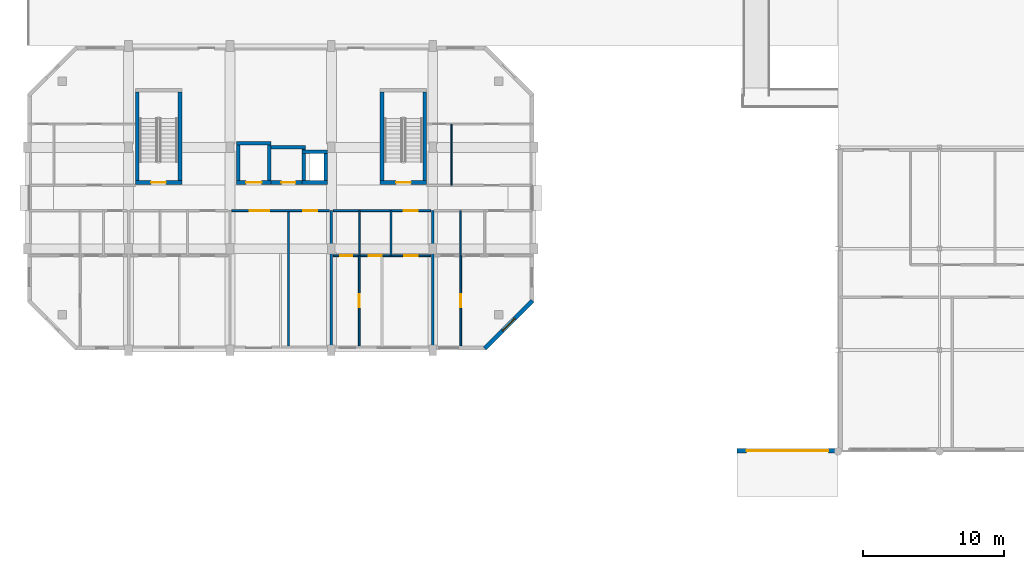
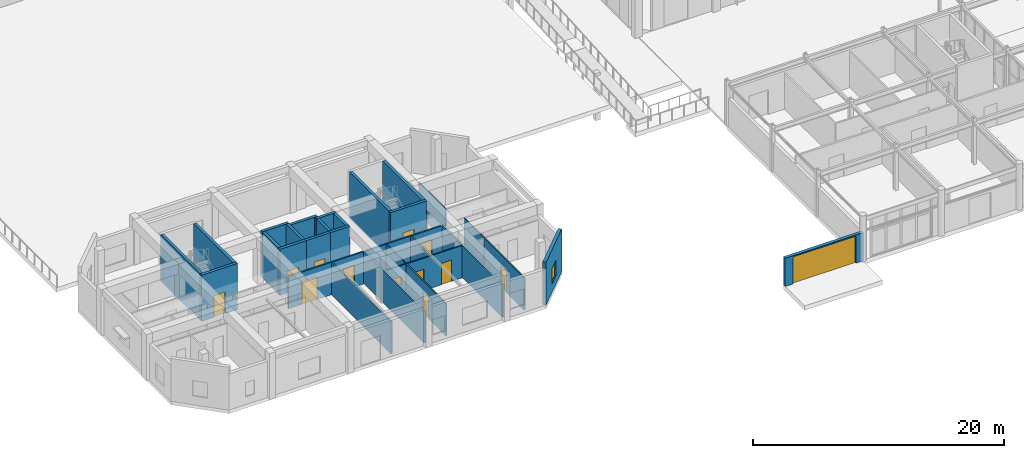
# One storey, part 55 of 85: 30 walls, 13 doors, 1 window, 14 openings.
"""IFC4 building model written with IfcOpenShell, lengths in metres."""

from ifc_helpers import new_model, si_unit, direction, frame, frame_2d, origin, place, context, subcontext, project, spatial, rectangle, extrude, material, layer, layer_set, type_object, element, fill, save


model = new_model("IFC4")

# Units and contexts
model_context = context("Model", 3, precision=1e-05, world=origin(), true_north=direction((0.0, 1.0)))
body_context = subcontext(model_context, "Body", "Model", "MODEL_VIEW")
ifc_project = project(units=[si_unit("LENGTHUNIT", "METRE"), si_unit("AREAUNIT", "SQUARE_METRE"), si_unit("VOLUMEUNIT", "CUBIC_METRE"), si_unit("PLANEANGLEUNIT", "RADIAN"), si_unit("MASSUNIT", "GRAM", prefix="KILO")], contexts=[model_context])

# Site, building, storey
site_placement = place(None, origin())
site = spatial("IfcSite", under=ifc_project, at=site_placement, CompositionType="ELEMENT")
building_placement = place(site_placement, origin())
building = spatial("IfcBuilding", under=site, at=building_placement, Name="Ochrevale Crest", CompositionType="ELEMENT")
storey_placement = place(building_placement, origin())
storey = spatial("IfcBuildingStorey", under=building, at=storey_placement, Name="L00", CompositionType="ELEMENT", Elevation=0.0)

# Wall, openings, doors
ifc_material_1 = material(Name="Gypsum plasterboard", Category="gypsum")
ifc_layer_1 = layer(ifc_material_1, 0.139892578125)
ifc_layer_set_1 = layer_set([ifc_layer_1], Name="Gypsum plasterboard")
wall_type_1 = type_object("IfcWallType", Name="WL-COR-140", PredefinedType="PARTITIONING", material=ifc_layer_set_1)
wall_1_placement = place(storey_placement, frame((14.5400390625, 24.300048828125, 0.0), z_axis=(0.0, 0.0, 1.0), x_axis=(1.0, 0.0, 0.0)))
wall_1 = element("IfcWall", 1, at=wall_1_placement, inside=storey, type_object=wall_type_1, Name="Block A ground lobby corridor wall", PredefinedType="PARTITIONING", context=body_context, shape_type="SweptSolid", body=[
    extrude(rectangle(XDim=6.919921875, YDim=0.139892578125, at=frame_2d((3.4599609375, 0.0))), origin(), (0.0, 0.0, 1.0), 3.14990234375),
])
opening_1_placement = place(wall_1_placement, frame((2.64990234375, 0.0, 0.0), z_axis=(0.0, 0.0, 1.0), x_axis=(-1.0, 0.0, 0.0)))
opening_1 = element("IfcOpeningElement", 2, at=opening_1_placement, cuts=wall_1, Name="Opening ID10", PredefinedType="OPENING", context=body_context, shape_type="SweptSolid", body=[
    extrude(rectangle(XDim=1.39990234375, YDim=2.219970703125, at=frame_2d((0.699951171875, 1.10986328125))), frame((0.0, 0.080078125, 0.0), z_axis=(0.0, -1.0, 0.0), x_axis=(1.0, 0.0, 0.0)), (0.0, 0.0, 1.0), 0.159912109375),
])
opening_2_placement = place(wall_1_placement, frame((5.070068359375, 0.0, 0.0)))
opening_2 = element("IfcOpeningElement", 3, at=opening_2_placement, cuts=wall_1, Name="Opening ID07", PredefinedType="OPENING", context=body_context, shape_type="SweptSolid", body=[
    extrude(rectangle(XDim=1.0, YDim=2.1201171875, at=frame_2d((0.5, 1.06005859375))), frame((0.0, 0.080078125, 0.0), z_axis=(0.0, -1.0, 0.0), x_axis=(1.0, 0.0, 0.0)), (0.0, 0.0, 1.0), 0.159912109375),
])
ifc_material_2 = material(Name="Solid-core FSC hardwood", Category="wood")
door_type_1 = type_object("IfcDoorType", Name="DR-INT-1000", OperationType="NOTDEFINED", PredefinedType="DOOR", material=ifc_material_2)
door_1_placement = place(opening_2_placement, origin())
door_1 = element("IfcDoor", 4, at=door_1_placement, inside=storey, type_object=door_type_1, Name="Block A mail room door", OperationType="SINGLE_SWING_LEFT", OverallHeight=2.1201171875, OverallWidth=1.0, PredefinedType="DOOR", context=body_context, shape_type="SweptSolid", body=[
    extrude(rectangle(XDim=1.0, YDim=2.1201171875, at=frame_2d((0.5, 1.06005859375))), frame((0.0, 0.02490234375, 0.0), z_axis=(0.0, -1.0, 0.0), x_axis=(1.0, 0.0, 0.0)), (0.0, 0.0, 1.0), 0.050048828125),
])
fill(opening_2, door_1)
door_type_2 = type_object("IfcDoorType", Name="DR-INT-1400", OperationType="NOTDEFINED", PredefinedType="DOOR", material=ifc_material_2)
door_2_placement = place(opening_1_placement, origin())
door_2 = element("IfcDoor", 5, at=door_2_placement, inside=storey, type_object=door_type_2, Name="Block A entrance lobby inner door", OperationType="DOUBLE_DOOR_SINGLE_SWING", OverallHeight=2.219970703125, OverallWidth=1.39990234375, PredefinedType="DOOR", context=body_context, shape_type="SweptSolid", body=[
    extrude(rectangle(XDim=1.39990234375, YDim=2.219970703125, at=frame_2d((0.699951171875, 1.10986328125))), frame((0.0, 0.02490234375, 0.0), z_axis=(0.0, -1.0, 0.0), x_axis=(1.0, 0.0, 0.0)), (0.0, 0.0, 1.0), 0.050048828125),
])
fill(opening_1, door_2)

# Wall, opening, door
wall_2_placement = place(storey_placement, frame((21.739990234375, 24.300048828125, 0.0), z_axis=(0.0, 0.0, 1.0), x_axis=(1.0, 0.0, 0.0)))
wall_2 = element("IfcWall", 6, at=wall_2_placement, inside=storey, type_object=wall_type_1, Name="Apartment A-L00-U4 corridor wall", PredefinedType="PARTITIONING", context=body_context, shape_type="SweptSolid", body=[
    extrude(rectangle(XDim=6.919921875, YDim=0.139892578125, at=frame_2d((3.4599609375, 0.0))), origin(), (0.0, 0.0, 1.0), 3.14990234375),
])
opening_3_placement = place(wall_2_placement, frame((6.0, 0.0, 0.0), z_axis=(0.0, 0.0, 1.0), x_axis=(-1.0, 0.0, 0.0)))
opening_3 = element("IfcOpeningElement", 7, at=opening_3_placement, cuts=wall_2, Name="Opening FD01", PredefinedType="OPENING", context=body_context, shape_type="SweptSolid", body=[
    extrude(rectangle(XDim=0.97998046875, YDim=2.10009765625, at=frame_2d((0.489990234375, 1.050048828125))), frame((0.0, 0.080078125, 0.0), z_axis=(0.0, -1.0, 0.0), x_axis=(1.0, 0.0, 0.0)), (0.0, 0.0, 1.0), 0.159912109375),
])
door_type_3 = type_object("IfcDoorType", Name="DR-APT-950", OperationType="NOTDEFINED", PredefinedType="DOOR", material=ifc_material_2)
door_3_placement = place(opening_3_placement, origin())
door_3 = element("IfcDoor", 8, at=door_3_placement, inside=storey, type_object=door_type_3, Name="Apartment A-L00-U4 entrance door", OperationType="SINGLE_SWING_RIGHT", OverallHeight=2.10009765625, OverallWidth=0.97998046875, PredefinedType="DOOR", context=body_context, shape_type="SweptSolid", body=[
    extrude(rectangle(XDim=0.97998046875, YDim=2.10009765625, at=frame_2d((0.489990234375, 1.050048828125))), frame((0.0, 0.02490234375, 0.0), z_axis=(0.0, -1.0, 0.0), x_axis=(1.0, 0.0, 0.0)), (0.0, 0.0, 1.0), 0.050048828125),
])
fill(opening_3, door_3)

ifc_material_3 = material(Name="Precast concrete C50/60", Category="concrete")
ifc_layer_2 = layer(ifc_material_3, 0.2548828125)
ifc_layer_set_2 = layer_set([ifc_layer_2], Name="Precast concrete C50/60")
wall_type_2 = type_object("IfcWallType", Name="WL-CORE-255", PredefinedType="SHEAR", material=ifc_layer_set_2)
wall_3_placement = place(storey_placement, frame((7.672607421875, 26.300048828125, 0.0), z_axis=(0.0, 0.0, 1.0), x_axis=(1.0, 0.0, 0.0)))
wall_3 = element("IfcWall", 9, at=wall_3_placement, inside=storey, type_object=wall_type_2, Name="Block A L00 Stair 1 precast core shear wall S", PredefinedType="SHEAR", context=body_context, shape_type="SweptSolid", body=[
    extrude(rectangle(XDim=3.304931640625, YDim=0.2548828125, at=frame_2d((1.65234375, 0.0))), origin(), (0.0, 0.0, 1.0), 4.5),
])
opening_4_placement = place(wall_3_placement, frame((2.177490234375, 0.0, 0.0), z_axis=(0.0, 0.0, 1.0), x_axis=(-1.0, 0.0, 0.0)))
opening_4 = element("IfcOpeningElement", 10, at=opening_4_placement, cuts=wall_3, Name="Opening FD03", PredefinedType="OPENING", context=body_context, shape_type="SweptSolid", body=[
    extrude(rectangle(XDim=1.050048828125, YDim=2.1201171875, at=frame_2d((0.52490234375, 1.06005859375))), frame((0.0, 0.137451171875, 0.0), z_axis=(0.0, -1.0, 0.0), x_axis=(1.0, 0.0, 0.0)), (0.0, 0.0, 1.0), 0.27490234375),
])
door_type_4 = type_object("IfcDoorType", Name="DR-ST-1050", OperationType="NOTDEFINED", PredefinedType="DOOR", material=ifc_material_2)
door_4_placement = place(opening_4_placement, origin())
door_4 = element("IfcDoor", 11, at=door_4_placement, inside=storey, type_object=door_type_4, Name="Block A L00 fire stair 1 door", OperationType="SINGLE_SWING_RIGHT", OverallHeight=2.1201171875, OverallWidth=1.050048828125, PredefinedType="DOOR", context=body_context, shape_type="SweptSolid", body=[
    extrude(rectangle(XDim=1.050048828125, YDim=2.1201171875, at=frame_2d((0.52490234375, 1.06005859375))), frame((0.0, 0.02490234375, 0.0), z_axis=(0.0, -1.0, 0.0), x_axis=(1.0, 0.0, 0.0)), (0.0, 0.0, 1.0), 0.050048828125),
])
fill(opening_4, door_4)

# Walls
for number, where, z_axis, x_axis, name in (
    (12, (7.800048828125, 26.427490234375, 0.0), (0.0, 0.0, 1.0), (0.0, 1.0, 0.0), "Block A L00 Stair 1 precast core shear wall W"),
    (13, (10.85009765625, 26.427490234375, 0.0), (0.0, 0.0, 1.0), (0.0, 1.0, 0.0), "Block A L00 Stair 1 precast core shear wall E"),
):
    element("IfcWall", number, at=place(storey_placement, frame(where, z_axis=z_axis, x_axis=x_axis)), inside=storey, type_object=wall_type_2, Name=name, PredefinedType="SHEAR", context=body_context, shape_type="SweptSolid", body=[
        extrude(rectangle(XDim=6.294921875, YDim=0.2548828125, at=frame_2d((3.1474609375, 0.0))), origin(), (0.0, 0.0, 1.0), 4.5),
    ])

# Wall, opening, door
wall_4_placement = place(storey_placement, frame((25.072509765625, 26.300048828125, 0.0), z_axis=(0.0, 0.0, 1.0), x_axis=(1.0, 0.0, 0.0)))
wall_4 = element("IfcWall", 14, at=wall_4_placement, inside=storey, type_object=wall_type_2, Name="Block A L00 Stair 2 precast core shear wall S", PredefinedType="SHEAR", context=body_context, shape_type="SweptSolid", body=[
    extrude(rectangle(XDim=3.304931640625, YDim=0.2548828125, at=frame_2d((1.65234375, 0.0))), origin(), (0.0, 0.0, 1.0), 4.5),
])
opening_5_placement = place(wall_4_placement, frame((1.12744140625, 0.0, 0.0)))
opening_5 = element("IfcOpeningElement", 15, at=opening_5_placement, cuts=wall_4, Name="Opening FD03", PredefinedType="OPENING", context=body_context, shape_type="SweptSolid", body=[
    extrude(rectangle(XDim=1.050048828125, YDim=2.1201171875, at=frame_2d((0.52490234375, 1.06005859375))), frame((0.0, 0.137451171875, 0.0), z_axis=(0.0, -1.0, 0.0), x_axis=(1.0, 0.0, 0.0)), (0.0, 0.0, 1.0), 0.27490234375),
])
door_5_placement = place(opening_5_placement, origin())
door_5 = element("IfcDoor", 16, at=door_5_placement, inside=storey, type_object=door_type_4, Name="Block A L00 fire stair 2 door", OperationType="SINGLE_SWING_LEFT", OverallHeight=2.1201171875, OverallWidth=1.050048828125, PredefinedType="DOOR", context=body_context, shape_type="SweptSolid", body=[
    extrude(rectangle(XDim=1.050048828125, YDim=2.1201171875, at=frame_2d((0.52490234375, 1.06005859375))), frame((0.0, 0.02490234375, 0.0), z_axis=(0.0, -1.0, 0.0), x_axis=(1.0, 0.0, 0.0)), (0.0, 0.0, 1.0), 0.050048828125),
])
fill(opening_5, door_5)

# Walls
for number, where, z_axis, x_axis, name in (
    (17, (25.199951171875, 26.427490234375, 0.0), (0.0, 0.0, 1.0), (0.0, 1.0, 0.0), "Block A L00 Stair 2 precast core shear wall W"),
    (18, (28.25, 26.427490234375, 0.0), (0.0, 0.0, 1.0), (0.0, 1.0, 0.0), "Block A L00 Stair 2 precast core shear wall E"),
):
    element("IfcWall", number, at=place(storey_placement, frame(where, z_axis=z_axis, x_axis=x_axis)), inside=storey, type_object=wall_type_2, Name=name, PredefinedType="SHEAR", context=body_context, shape_type="SweptSolid", body=[
        extrude(rectangle(XDim=6.294921875, YDim=0.2548828125, at=frame_2d((3.1474609375, 0.0))), origin(), (0.0, 0.0, 1.0), 4.5),
    ])

# Wall, opening, door
wall_5_placement = place(storey_placement, frame((14.87255859375, 26.300048828125, 0.0), z_axis=(0.0, 0.0, 1.0), x_axis=(1.0, 0.0, 0.0)))
wall_5 = element("IfcWall", 19, at=wall_5_placement, inside=storey, type_object=wall_type_2, Name="Block A L00 Lift 1 precast shaft shear wall S", PredefinedType="SHEAR", context=body_context, shape_type="SweptSolid", body=[
    extrude(rectangle(XDim=2.454833984375, YDim=0.2548828125, at=frame_2d((1.2275390625, 0.0))), origin(), (0.0, 0.0, 1.0), 4.5),
])
opening_6_placement = place(wall_5_placement, frame((0.677490234375, 0.0, 0.0)))
opening_6 = element("IfcOpeningElement", 20, at=opening_6_placement, cuts=wall_5, Name="Opening LD01", PredefinedType="OPENING", context=body_context, shape_type="SweptSolid", body=[
    extrude(rectangle(XDim=1.10009765625, YDim=2.14990234375, at=frame_2d((0.550048828125, 1.074951171875))), frame((0.0, 0.137451171875, 0.0), z_axis=(0.0, -1.0, 0.0), x_axis=(1.0, 0.0, 0.0)), (0.0, 0.0, 1.0), 0.27490234375),
])
door_type_5 = type_object("IfcDoorType", Name="DR-LIFT-1100", OperationType="NOTDEFINED", PredefinedType="DOOR", material=ifc_material_2)
door_6_placement = place(opening_6_placement, origin())
door_6 = element("IfcDoor", 21, at=door_6_placement, inside=storey, type_object=door_type_5, Name="Lift LF-A1 L00 sliding landing door", OperationType="SLIDING_TO_LEFT", OverallHeight=2.14990234375, OverallWidth=1.10009765625, PredefinedType="DOOR", context=body_context, shape_type="SweptSolid", body=[
    extrude(rectangle(XDim=1.10009765625, YDim=2.14990234375, at=frame_2d((0.550048828125, 1.074951171875))), frame((0.0, 0.02490234375, 0.0), z_axis=(0.0, -1.0, 0.0), x_axis=(1.0, 0.0, 0.0)), (0.0, 0.0, 1.0), 0.050048828125),
])
fill(opening_6, door_6)

# Walls
wall_6_placement = place(storey_placement, frame((14.87255859375, 29.10009765625, 0.0), z_axis=(0.0, 0.0, 1.0), x_axis=(1.0, 0.0, 0.0)))
element("IfcWall", 22, at=wall_6_placement, inside=storey, type_object=wall_type_2, Name="Block A L00 Lift 1 precast shaft shear wall N", PredefinedType="SHEAR", context=body_context, shape_type="SweptSolid", body=[
    extrude(rectangle(XDim=2.454833984375, YDim=0.2548828125, at=frame_2d((1.2275390625, 0.0))), origin(), (0.0, 0.0, 1.0), 4.5),
])
for number, where, z_axis, x_axis, name in (
    (23, (15.0, 26.427490234375, 0.0), (0.0, 0.0, 1.0), (0.0, 1.0, 0.0), "Block A L00 Lift 1 precast shaft shear wall W"),
    (24, (17.199951171875, 26.427490234375, 0.0), (0.0, 0.0, 1.0), (0.0, 1.0, 0.0), "Block A L00 Lift 1 precast shaft shear wall E"),
):
    element("IfcWall", number, at=place(storey_placement, frame(where, z_axis=z_axis, x_axis=x_axis)), inside=storey, type_object=wall_type_2, Name=name, PredefinedType="SHEAR", context=body_context, shape_type="SweptSolid", body=[
        extrude(rectangle(XDim=2.544921875, YDim=0.2548828125, at=frame_2d((1.2724609375, 0.0))), origin(), (0.0, 0.0, 1.0), 4.5),
    ])

# Wall, opening, door
wall_7_placement = place(storey_placement, frame((17.322509765625, 26.300048828125, 0.0), z_axis=(0.0, 0.0, 1.0), x_axis=(1.0, 0.0, 0.0)))
wall_7 = element("IfcWall", 25, at=wall_7_placement, inside=storey, type_object=wall_type_2, Name="Block A L00 Lift 2 precast shaft shear wall S", PredefinedType="SHEAR", context=body_context, shape_type="SweptSolid", body=[
    extrude(rectangle(XDim=2.455078125, YDim=0.2548828125, at=frame_2d((1.2275390625, 0.0))), origin(), (0.0, 0.0, 1.0), 4.5),
])
opening_7_placement = place(wall_7_placement, frame((0.7275390625, 0.0, 0.0)))
opening_7 = element("IfcOpeningElement", 26, at=opening_7_placement, cuts=wall_7, Name="Opening LD02", PredefinedType="OPENING", context=body_context, shape_type="SweptSolid", body=[
    extrude(rectangle(XDim=1.0, YDim=2.14990234375, at=frame_2d((0.5, 1.074951171875))), frame((0.0, 0.137451171875, 0.0), z_axis=(0.0, -1.0, 0.0), x_axis=(1.0, 0.0, 0.0)), (0.0, 0.0, 1.0), 0.27490234375),
])
door_type_6 = type_object("IfcDoorType", Name="DR-LIFT-1000", OperationType="NOTDEFINED", PredefinedType="DOOR", material=ifc_material_2)
door_7_placement = place(opening_7_placement, origin())
door_7 = element("IfcDoor", 27, at=door_7_placement, inside=storey, type_object=door_type_6, Name="Lift LP-A2 L00 sliding landing door", OperationType="SLIDING_TO_RIGHT", OverallHeight=2.14990234375, OverallWidth=1.0, PredefinedType="DOOR", context=body_context, shape_type="SweptSolid", body=[
    extrude(rectangle(XDim=1.0, YDim=2.14990234375, at=frame_2d((0.5, 1.074951171875))), frame((0.0, 0.02490234375, 0.0), z_axis=(0.0, -1.0, 0.0), x_axis=(1.0, 0.0, 0.0)), (0.0, 0.0, 1.0), 0.050048828125),
])
fill(opening_7, door_7)

# Walls
wall_8_placement = place(storey_placement, frame((17.322509765625, 28.800048828125, 0.0), z_axis=(0.0, 0.0, 1.0), x_axis=(1.0, 0.0, 0.0)))
element("IfcWall", 28, at=wall_8_placement, inside=storey, type_object=wall_type_2, Name="Block A L00 Lift 2 precast shaft shear wall N", PredefinedType="SHEAR", context=body_context, shape_type="SweptSolid", body=[
    extrude(rectangle(XDim=2.455078125, YDim=0.2548828125, at=frame_2d((1.2275390625, 0.0))), origin(), (0.0, 0.0, 1.0), 4.5),
])
wall_9_placement = place(storey_placement, frame((19.64990234375, 26.427490234375, 0.0), z_axis=(0.0, 0.0, 1.0), x_axis=(0.0, 1.0, 0.0)))
element("IfcWall", 29, at=wall_9_placement, inside=storey, type_object=wall_type_2, Name="Block A L00 Lift 2 precast shaft shear wall E", PredefinedType="SHEAR", context=body_context, shape_type="SweptSolid", body=[
    extrude(rectangle(XDim=2.2451171875, YDim=0.2548828125, at=frame_2d((1.12255859375, 0.0))), origin(), (0.0, 0.0, 1.0), 4.5),
])
for number, where, z_axis, x_axis, name in (
    (30, (19.5224609375, 26.300048828125, 0.0), (0.0, 0.0, 1.0), (1.0, 0.0, 0.0), "Block A L00 services riser shaft core wall S"),
    (31, (19.5224609375, 28.5, 0.0), (0.0, 0.0, 1.0), (1.0, 0.0, 0.0), "Block A L00 services riser shaft core wall N"),
):
    element("IfcWall", number, at=place(storey_placement, frame(where, z_axis=z_axis, x_axis=x_axis)), inside=storey, type_object=wall_type_2, Name=name, PredefinedType="SHEAR", context=body_context, shape_type="SweptSolid", body=[
        extrude(rectangle(XDim=1.804931640625, YDim=0.2548828125, at=frame_2d((0.90234375, 0.0))), origin(), (0.0, 0.0, 1.0), 4.5),
    ])
wall_10_placement = place(storey_placement, frame((21.199951171875, 26.427490234375, 0.0), z_axis=(0.0, 0.0, 1.0), x_axis=(0.0, 1.0, 0.0)))
element("IfcWall", 32, at=wall_10_placement, inside=storey, type_object=wall_type_2, Name="Block A L00 services riser shaft core wall E", PredefinedType="SHEAR", context=body_context, shape_type="SweptSolid", body=[
    extrude(rectangle(XDim=1.945068359375, YDim=0.2548828125, at=frame_2d((0.97265625, 0.0))), origin(), (0.0, 0.0, 1.0), 4.5),
])

# Wall, opening, window
ifc_material_4 = material(Name="Clay face brickwork", Category="masonry")
ifc_layer_3 = layer(ifc_material_4, 0.2900390625)
ifc_layer_set_3 = layer_set([ifc_layer_3], Name="Clay face brickwork")
wall_type_3 = type_object("IfcWallType", Name="WL-EXT-BRICK-290", PredefinedType="SOLIDWALL", material=ifc_layer_set_3)
wall_11_placement = place(storey_placement, frame((32.49755859375, 14.50244140625, 0.0), z_axis=(0.0, 0.0, 1.0), x_axis=(0.707081393635, 0.707132167827, 0.0)))
wall_11 = element("IfcWall", 33, at=wall_11_placement, inside=storey, type_object=wall_type_3, Name="Block A L00 external facade wall E2", PredefinedType="SOLIDWALL", context=body_context, shape_type="SweptSolid", body=[
    extrude(rectangle(XDim=4.808349609375, YDim=0.2900390625, at=frame_2d((2.404296875, 0.0))), origin(), (0.0, 0.0, 1.0), 4.175048828125),
])
opening_8_placement = place(wall_11_placement, frame((1.794189453125, 0.0, 0.85009765625)))
opening_8 = element("IfcOpeningElement", 34, at=opening_8_placement, cuts=wall_11, Name="Opening W06", PredefinedType="OPENING", context=body_context, shape_type="SweptSolid", body=[
    extrude(rectangle(XDim=1.219970703125, YDim=1.5, at=frame_2d((0.60986328125, 0.75))), frame((0.0, 0.155029296875, 0.0), z_axis=(0.0, -1.0, 0.0), x_axis=(1.0, 0.0, 0.0)), (0.0, 0.0, 1.0), 0.31005859375),
])
ifc_material_5 = material(Name="Anodised aluminium 6063-T5 and low-E double glazing", Category="aluminium")
window_type = type_object("IfcWindowType", Name="WIN-W06", PartitioningType="SINGLE_PANEL", PredefinedType="WINDOW", material=ifc_material_5)
window_placement = place(opening_8_placement, origin())
window = element("IfcWindow", 35, at=window_placement, inside=storey, type_object=window_type, Name="Block A L00 corner room casement window 2", OverallHeight=1.5, OverallWidth=1.219970703125, PartitioningType="SINGLE_PANEL", PredefinedType="WINDOW", context=body_context, shape_type="SweptSolid", body=[
    extrude(rectangle(XDim=1.219970703125, YDim=1.5, at=frame_2d((0.60986328125, 0.75))), frame((0.0, 0.030029296875, 0.0), z_axis=(0.0, -1.0, 0.0), x_axis=(1.0, 0.0, 0.0)), (0.0, 0.0, 1.0), 0.06005859375),
])
fill(opening_8, window)

# Wall, opening, door
wall_12_placement = place(storey_placement, frame((50.39990234375, 7.25, 0.0), z_axis=(0.0, 0.0, 1.0), x_axis=(1.0, 0.0, 0.0)))
wall_12 = element("IfcWall", 36, at=wall_12_placement, inside=storey, type_object=wall_type_3, Name="Car park entry portal wall", PredefinedType="SOLIDWALL", context=body_context, shape_type="SweptSolid", body=[
    extrude(rectangle(XDim=7.2001953125, YDim=0.2900390625, at=frame_2d((3.60009765625, 0.0))), origin(), (0.0, 0.0, 1.0), 2.75244140625),
])
opening_9_placement = place(wall_12_placement, frame((6.5, 0.0, 0.0), z_axis=(0.0, 0.0, 1.0), x_axis=(-1.0, 0.0, 0.0)))
opening_9 = element("IfcOpeningElement", 37, at=opening_9_placement, cuts=wall_12, Name="Opening VD01", PredefinedType="OPENING", context=body_context, shape_type="SweptSolid", body=[
    extrude(rectangle(XDim=5.800048828125, YDim=2.64306640625, at=frame_2d((2.89990234375, 1.321533203125))), frame((0.0, 0.155029296875, 0.0), z_axis=(0.0, -1.0, 0.0), x_axis=(1.0, 0.0, 0.0)), (0.0, 0.0, 1.0), 0.31005859375),
])
ifc_material_6 = material(Name="Anodised aluminium 6063-T5 and toughened glass", Category="aluminium")
door_type_7 = type_object("IfcDoorType", Name="DR-VEH-5800", OperationType="ROLLINGUP", PredefinedType="GATE", material=ifc_material_6)
door_8_placement = place(opening_9_placement, origin())
door_8 = element("IfcDoor", 38, at=door_8_placement, inside=storey, type_object=door_type_7, Name="Car park vehicle roller shutter gate VD-01", OperationType="ROLLINGUP", OverallHeight=2.64306640625, OverallWidth=5.800048828125, PredefinedType="GATE", context=body_context, shape_type="SweptSolid", body=[
    extrude(rectangle(XDim=5.800048828125, YDim=2.64306640625, at=frame_2d((2.89990234375, 1.321533203125))), frame((0.0, 0.02490234375, 0.0), z_axis=(0.0, -1.0, 0.0), x_axis=(1.0, 0.0, 0.0)), (0.0, 0.0, 1.0), 0.050048828125),
])
fill(opening_9, door_8)

# Walls
ifc_layer_4 = layer(ifc_material_1, 0.1201171875)
ifc_layer_set_4 = layer_set([ifc_layer_4], Name="Gypsum plasterboard")
wall_type_4 = type_object("IfcWallType", Name="WL-PART-120", PredefinedType="PARTITIONING", material=ifc_layer_set_4)
wall_13_placement = place(storey_placement, frame((18.5537109375, 14.699951171875, 0.0), z_axis=(0.0, 0.0, 1.0), x_axis=(0.0, 1.0, 0.0)))
element("IfcWall", 39, at=wall_13_placement, inside=storey, type_object=wall_type_4, Name="Block A lobby-mail divider", PredefinedType="PARTITIONING", context=body_context, shape_type="SweptSolid", body=[
    extrude(rectangle(XDim=9.60009765625, YDim=0.1201171875, at=frame_2d((4.800048828125, 0.0))), origin(), (0.0, 0.0, 1.0), 3.14990234375),
])
wall_14_placement = place(storey_placement, frame((25.840087890625, 21.10009765625, 0.0), z_axis=(0.0, 0.0, 1.0), x_axis=(0.0, 1.0, 0.0)))
element("IfcWall", 40, at=wall_14_placement, inside=storey, type_object=wall_type_4, Name="Apartment A-L00-U4 kitchen-foyer wall", PredefinedType="PARTITIONING", context=body_context, shape_type="SweptSolid", body=[
    extrude(rectangle(XDim=3.199951171875, YDim=0.1201171875, at=frame_2d((1.60009765625, 0.0))), origin(), (0.0, 0.0, 1.0), 3.14990234375),
])

# Wall, openings, doors
wall_15_placement = place(storey_placement, frame((21.739990234375, 21.10009765625, 0.0), z_axis=(0.0, 0.0, 1.0), x_axis=(1.0, 0.0, 0.0)))
wall_15 = element("IfcWall", 41, at=wall_15_placement, inside=storey, type_object=wall_type_4, Name="Apartment A-L00-U4 central partition", PredefinedType="PARTITIONING", context=body_context, shape_type="SweptSolid", body=[
    extrude(rectangle(XDim=6.919921875, YDim=0.1201171875, at=frame_2d((3.4599609375, 0.0))), origin(), (0.0, 0.0, 1.0), 3.14990234375),
])
opening_10_placement = place(wall_15_placement, frame((0.5, 0.0, 0.0)))
opening_10 = element("IfcOpeningElement", 42, at=opening_10_placement, cuts=wall_15, Name="Opening ID01", PredefinedType="OPENING", context=body_context, shape_type="SweptSolid", body=[
    extrude(rectangle(XDim=0.85009765625, YDim=2.080078125, at=frame_2d((0.425048828125, 1.0400390625))), frame((0.0, 0.070068359375, 0.0), z_axis=(0.0, -1.0, 0.0), x_axis=(1.0, 0.0, 0.0)), (0.0, 0.0, 1.0), 0.14013671875),
])
opening_11_placement = place(wall_15_placement, frame((3.4248046875, 0.0, 0.0), z_axis=(0.0, 0.0, 1.0), x_axis=(-1.0, 0.0, 0.0)))
opening_11 = element("IfcOpeningElement", 43, at=opening_11_placement, cuts=wall_15, Name="Opening ID02", PredefinedType="OPENING", context=body_context, shape_type="SweptSolid", body=[
    extrude(rectangle(XDim=0.89990234375, YDim=2.080078125, at=frame_2d((0.449951171875, 1.0400390625))), frame((0.0, 0.070068359375, 0.0), z_axis=(0.0, -1.0, 0.0), x_axis=(1.0, 0.0, 0.0)), (0.0, 0.0, 1.0), 0.14013671875),
])
opening_12_placement = place(wall_15_placement, frame((5.034912109375, 0.0, 0.0)))
opening_12 = element("IfcOpeningElement", 44, at=opening_12_placement, cuts=wall_15, Name="Opening ID06", PredefinedType="OPENING", context=body_context, shape_type="SweptSolid", body=[
    extrude(rectangle(XDim=0.949951171875, YDim=2.080078125, at=frame_2d((0.47509765625, 1.0400390625))), frame((0.0, 0.070068359375, 0.0), z_axis=(0.0, -1.0, 0.0), x_axis=(1.0, 0.0, 0.0)), (0.0, 0.0, 1.0), 0.14013671875),
])
door_type_8 = type_object("IfcDoorType", Name="DR-INT-900", OperationType="NOTDEFINED", PredefinedType="DOOR", material=ifc_material_2)
door_9_placement = place(opening_11_placement, origin())
door_9 = element("IfcDoor", 45, at=door_9_placement, inside=storey, type_object=door_type_8, Name="Apartment A-L00-U4 Kitchen door", OperationType="SINGLE_SWING_RIGHT", OverallHeight=2.080078125, OverallWidth=0.89990234375, PredefinedType="DOOR", context=body_context, shape_type="SweptSolid", body=[
    extrude(rectangle(XDim=0.89990234375, YDim=2.080078125, at=frame_2d((0.449951171875, 1.0400390625))), frame((0.0, 0.02490234375, 0.0), z_axis=(0.0, -1.0, 0.0), x_axis=(1.0, 0.0, 0.0)), (0.0, 0.0, 1.0), 0.050048828125),
])
fill(opening_11, door_9)
door_type_9 = type_object("IfcDoorType", Name="DR-INT-950", OperationType="NOTDEFINED", PredefinedType="DOOR", material=ifc_material_2)
door_10_placement = place(opening_12_placement, origin())
door_10 = element("IfcDoor", 46, at=door_10_placement, inside=storey, type_object=door_type_9, Name="Apartment A-L00-U4 Living Foyer door", OperationType="SINGLE_SWING_LEFT", OverallHeight=2.080078125, OverallWidth=0.949951171875, PredefinedType="DOOR", context=body_context, shape_type="SweptSolid", body=[
    extrude(rectangle(XDim=0.949951171875, YDim=2.080078125, at=frame_2d((0.47509765625, 1.0400390625))), frame((0.0, 0.02490234375, 0.0), z_axis=(0.0, -1.0, 0.0), x_axis=(1.0, 0.0, 0.0)), (0.0, 0.0, 1.0), 0.050048828125),
])
fill(opening_12, door_10)
door_type_10 = type_object("IfcDoorType", Name="DR-WC-850", OperationType="NOTDEFINED", PredefinedType="DOOR", material=ifc_material_2)
door_11_placement = place(opening_10_placement, origin())
door_11 = element("IfcDoor", 47, at=door_11_placement, inside=storey, type_object=door_type_10, Name="Apartment A-L00-U4 Bathroom door", OperationType="SINGLE_SWING_LEFT", OverallHeight=2.080078125, OverallWidth=0.85009765625, PredefinedType="DOOR", context=body_context, shape_type="SweptSolid", body=[
    extrude(rectangle(XDim=0.85009765625, YDim=2.080078125, at=frame_2d((0.425048828125, 1.0400390625))), frame((0.0, 0.02490234375, 0.0), z_axis=(0.0, -1.0, 0.0), x_axis=(1.0, 0.0, 0.0)), (0.0, 0.0, 1.0), 0.050048828125),
])
fill(opening_10, door_11)

# Wall, opening, door
wall_16_placement = place(storey_placement, frame((23.590087890625, 14.699951171875, 0.0), z_axis=(0.0, 0.0, 1.0), x_axis=(0.0, 1.0, 0.0)))
wall_16 = element("IfcWall", 48, at=wall_16_placement, inside=storey, type_object=wall_type_4, Name="Apartment A-L00-U4 bedroom partition", PredefinedType="PARTITIONING", context=body_context, shape_type="SweptSolid", body=[
    extrude(rectangle(XDim=6.400146484375, YDim=0.1201171875, at=frame_2d((3.2001953125, 0.0))), origin(), (0.0, 0.0, 1.0), 3.14990234375),
])
opening_13_placement = place(wall_16_placement, frame((3.64990234375, 0.0, 0.0), z_axis=(0.0, 0.0, 1.0), x_axis=(-1.0, 0.0, 0.0)))
opening_13 = element("IfcOpeningElement", 49, at=opening_13_placement, cuts=wall_16, Name="Opening ID02", PredefinedType="OPENING", context=body_context, shape_type="SweptSolid", body=[
    extrude(rectangle(XDim=0.89990234375, YDim=2.080078125, at=frame_2d((0.449951171875, 1.0400390625))), frame((0.0, 0.070068359375, 0.0), z_axis=(0.0, -1.0, 0.0), x_axis=(1.0, 0.0, 0.0)), (0.0, 0.0, 1.0), 0.14013671875),
])
door_12_placement = place(opening_13_placement, origin())
door_12 = element("IfcDoor", 50, at=door_12_placement, inside=storey, type_object=door_type_8, Name="Apartment A-L00-U4 Double Bedroom door", OperationType="SINGLE_SWING_RIGHT", OverallHeight=2.080078125, OverallWidth=0.89990234375, PredefinedType="DOOR", context=body_context, shape_type="SweptSolid", body=[
    extrude(rectangle(XDim=0.89990234375, YDim=2.080078125, at=frame_2d((0.449951171875, 1.0400390625))), frame((0.0, 0.02490234375, 0.0), z_axis=(0.0, -1.0, 0.0), x_axis=(1.0, 0.0, 0.0)), (0.0, 0.0, 1.0), 0.050048828125),
])
fill(opening_13, door_12)

wall_17_placement = place(storey_placement, frame((30.7900390625, 14.699951171875, 0.0), z_axis=(0.0, 0.0, 1.0), x_axis=(0.0, 1.0, 0.0)))
wall_17 = element("IfcWall", 51, at=wall_17_placement, inside=storey, type_object=wall_type_4, Name="Apartment A-L00-U5 bedroom partition", PredefinedType="PARTITIONING", context=body_context, shape_type="SweptSolid", body=[
    extrude(rectangle(XDim=6.400146484375, YDim=0.1201171875, at=frame_2d((3.2001953125, 0.0))), origin(), (0.0, 0.0, 1.0), 3.14990234375),
])
opening_14_placement = place(wall_17_placement, frame((2.75, 0.0, 0.0)))
opening_14 = element("IfcOpeningElement", 52, at=opening_14_placement, cuts=wall_17, Name="Opening ID02", PredefinedType="OPENING", context=body_context, shape_type="SweptSolid", body=[
    extrude(rectangle(XDim=0.89990234375, YDim=2.080078125, at=frame_2d((0.449951171875, 1.0400390625))), frame((0.0, 0.070068359375, 0.0), z_axis=(0.0, -1.0, 0.0), x_axis=(1.0, 0.0, 0.0)), (0.0, 0.0, 1.0), 0.14013671875),
])
door_13_placement = place(opening_14_placement, origin())
door_13 = element("IfcDoor", 53, at=door_13_placement, inside=storey, type_object=door_type_8, Name="Apartment A-L00-U5 Master Bedroom door", OperationType="SINGLE_SWING_LEFT", OverallHeight=2.080078125, OverallWidth=0.89990234375, PredefinedType="DOOR", context=body_context, shape_type="SweptSolid", body=[
    extrude(rectangle(XDim=0.89990234375, YDim=2.080078125, at=frame_2d((0.449951171875, 1.0400390625))), frame((0.0, 0.02490234375, 0.0), z_axis=(0.0, -1.0, 0.0), x_axis=(1.0, 0.0, 0.0)), (0.0, 0.0, 1.0), 0.050048828125),
])
fill(opening_14, door_13)

# Walls
ifc_layer_5 = layer(ifc_material_1, 0.169921875)
ifc_layer_set_5 = layer_set([ifc_layer_5], Name="Gypsum plasterboard")
wall_type_5 = type_object("IfcWallType", Name="WL-TEN-170", PredefinedType="PARTITIONING", material=ifc_layer_set_5)
for number, where, z_axis, x_axis, name in (
    (54, (21.60009765625, 14.699951171875, 0.0), (0.0, 0.0, 1.0), (0.0, 1.0, 0.0), "Block A L00 inter-tenancy wall 3"),
    (55, (28.800048828125, 14.699951171875, 0.0), (0.0, 0.0, 1.0), (0.0, 1.0, 0.0), "Block A L00 inter-tenancy wall 4"),
):
    element("IfcWall", number, at=place(storey_placement, frame(where, z_axis=z_axis, x_axis=x_axis)), inside=storey, type_object=wall_type_5, Name=name, PredefinedType="PARTITIONING", context=body_context, shape_type="SweptSolid", body=[
        extrude(rectangle(XDim=9.60009765625, YDim=0.169921875, at=frame_2d((4.800048828125, 0.0))), origin(), (0.0, 0.0, 1.0), 3.14990234375),
    ])
ifc_layer_6 = layer(ifc_material_1, 0.10009765625)
ifc_layer_set_6 = layer_set([ifc_layer_6], Name="Gypsum plasterboard")
wall_type_6 = type_object("IfcWallType", Name="WL-WET-100", PredefinedType="PARTITIONING", material=ifc_layer_set_6)
for number, where, z_axis, x_axis, name in (
    (56, (23.590087890625, 21.10009765625, 0.0), (0.0, 0.0, 1.0), (0.0, 1.0, 0.0), "Apartment A-L00-U4 bath-kitchen wall"),
    (57, (30.7900390625, 21.10009765625, 0.0), (0.0, 0.0, 1.0), (0.0, 1.0, 0.0), "Apartment A-L00-U5 bath-kitchen wall"),
):
    element("IfcWall", number, at=place(storey_placement, frame(where, z_axis=z_axis, x_axis=x_axis)), inside=storey, type_object=wall_type_6, Name=name, PredefinedType="PARTITIONING", context=body_context, shape_type="SweptSolid", body=[
        extrude(rectangle(XDim=3.199951171875, YDim=0.10009765625, at=frame_2d((1.60009765625, 0.0))), origin(), (0.0, 0.0, 1.0), 3.14990234375),
    ])
wall_18_placement = place(storey_placement, frame((30.139892578125, 26.10009765625, 0.0), z_axis=(0.0, 0.0, 1.0), x_axis=(0.0, 1.0, 0.0)))
element("IfcWall", 58, at=wall_18_placement, inside=storey, type_object=wall_type_6, Name="Suite A-L00-CE bathroom divider", PredefinedType="PARTITIONING", context=body_context, shape_type="SweptSolid", body=[
    extrude(rectangle(XDim=4.349853515625, YDim=0.10009765625, at=frame_2d((2.1748046875, 0.0))), origin(), (0.0, 0.0, 1.0), 3.14990234375),
])

save(model, "model.ifc")
